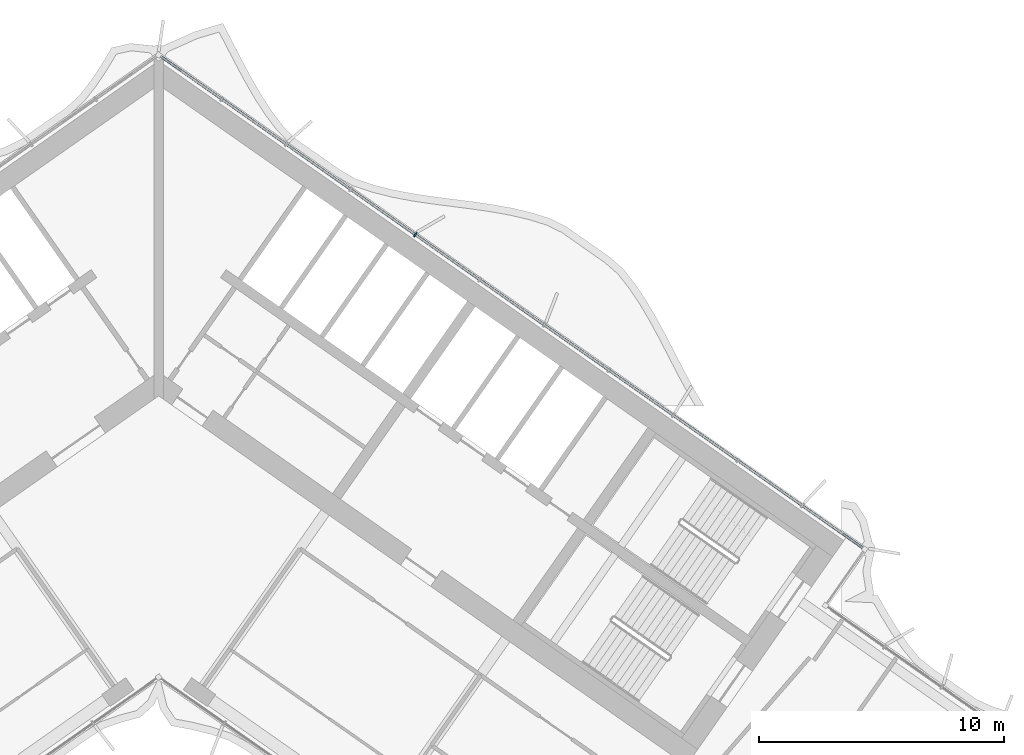
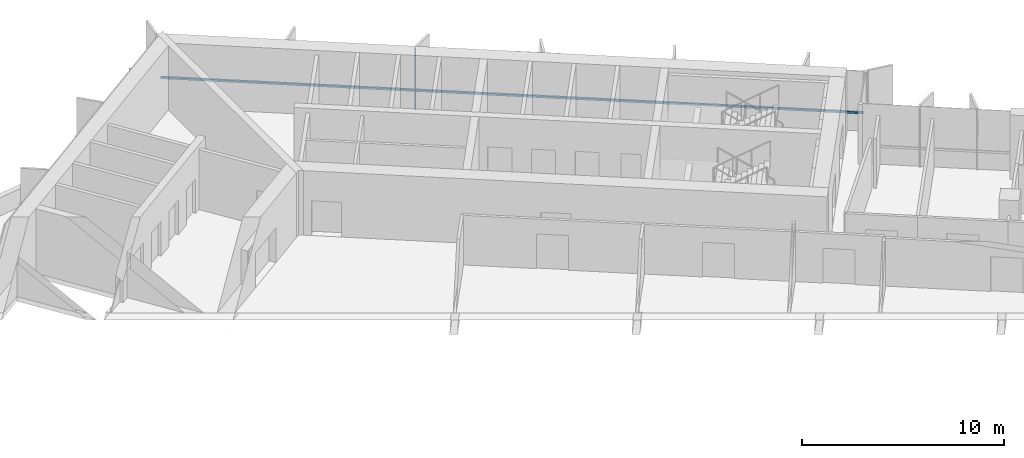
# One storey, part 10 of 23: 2 members, 1 element without a shape of its own.
"""IFC4 building model written with IfcOpenShell, lengths in metres."""

from ifc_helpers import new_model, si_unit, direction, frame, origin, origin_2d, place, context, subcontext, project, spatial, rectangle, extrude, material, material_profile, profile_set, type_object, element, aggregate, save


model = new_model("IFC4")

# Units and contexts
model_context = context("Model", 3, precision=1e-05, world=origin(), true_north=direction((0.0, 1.0)))
body_context = subcontext(model_context, "Body", "Model", "MODEL_VIEW")
ifc_project = project(units=[si_unit("LENGTHUNIT", "METRE"), si_unit("AREAUNIT", "SQUARE_METRE"), si_unit("VOLUMEUNIT", "CUBIC_METRE"), si_unit("PLANEANGLEUNIT", "RADIAN"), si_unit("MASSUNIT", "GRAM", prefix="KILO")], contexts=[model_context])

# Site, building, storey
site_placement = place(None, origin())
site = spatial("IfcSite", under=ifc_project, at=site_placement, CompositionType="ELEMENT")
building_placement = place(site_placement, origin())
building = spatial("IfcBuilding", under=site, at=building_placement, Name="Tel Ilan Convention Tower", CompositionType="ELEMENT")
storey_placement = place(building_placement, frame((0.0, 0.0, 174.89990234375)))
storey = spatial("IfcBuildingStorey", under=building, at=storey_placement, Name="L40", CompositionType="ELEMENT", Elevation=174.89990234375)

# Curtain wall, members
ifc_material_1 = material(Name="Aluminium, bronze anodised", Category="aluminium")
curtain_wall_type = type_object("IfcCurtainWallType", Name="CW2 STICK CURTAIN WALL, SPANDREL PANELS", PredefinedType="NOTDEFINED", material=ifc_material_1)
curtain_wall_placement = place(storey_placement, origin())
curtain_wall = element("IfcCurtainWall", 1, at=curtain_wall_placement, inside=storey, type_object=curtain_wall_type, Name="Curtain wall CW2-31.01", PredefinedType="NOTDEFINED")
ifc_material_2 = material(Name="Aluminium, bronze anodised", Category="aluminium")
ifc_material_profile_1 = material_profile(ifc_material_2, rectangle(XDim=0.06005859375, YDim=0.199951171875, at=origin_2d()), Name="CW MULLION 60x200")
ifc_profile_set_1 = profile_set([ifc_material_profile_1], Name="Aluminium, bronze anodised")
member_type_1 = type_object("IfcMemberType", Name="CW MULLION 60x200", PredefinedType="MULLION", material=ifc_profile_set_1)
member_1_placement = place(storey_placement, frame((10.47314453125, 5.36279296875, 0.0), z_axis=(0.0, 0.0, 1.0), x_axis=(-0.819152044289, 0.573576436351, 0.0)))
member_1 = element("IfcMember", 2, at=member_1_placement, type_object=member_type_1, Name="Mullion", PredefinedType="MULLION", context=body_context, shape_type="SweptSolid", body=[
    extrude(rectangle(XDim=0.06005859375, YDim=0.199951171875, at=origin_2d()), origin(), (0.0, 0.0, 1.0), 3.6201171875),
])
ifc_material_3 = material(Name="Aluminium, bronze anodised", Category="aluminium")
ifc_material_profile_2 = material_profile(ifc_material_3, rectangle(XDim=0.10009765625, YDim=0.1201171875, at=origin_2d()), Name="CW TRANSOM 100x120")
ifc_profile_set_2 = profile_set([ifc_material_profile_2], Name="Aluminium, bronze anodised")
member_type_2 = type_object("IfcMemberType", Name="CW TRANSOM 100x120", PredefinedType="USERDEFINED", material=ifc_profile_set_2)
member_2_placement = place(storey_placement, frame((28.737548828125, -7.42626953125, 1.10009765625), z_axis=(-0.819150201937, 0.573579067494, 0.0), x_axis=(-0.573579067494, -0.819150201937, 0.0)))
member_2 = element("IfcMember", 3, at=member_2_placement, type_object=member_type_2, Name="Transom", ObjectType="TRANSOM", PredefinedType="USERDEFINED", context=body_context, shape_type="SweptSolid", body=[
    extrude(rectangle(XDim=0.10009765625, YDim=0.1201171875, at=origin_2d()), origin(), (0.0, 0.0, 1.0), 34.9521484375),
])
aggregate(curtain_wall, [member_1, member_2])

save(model, "model.ifc")
